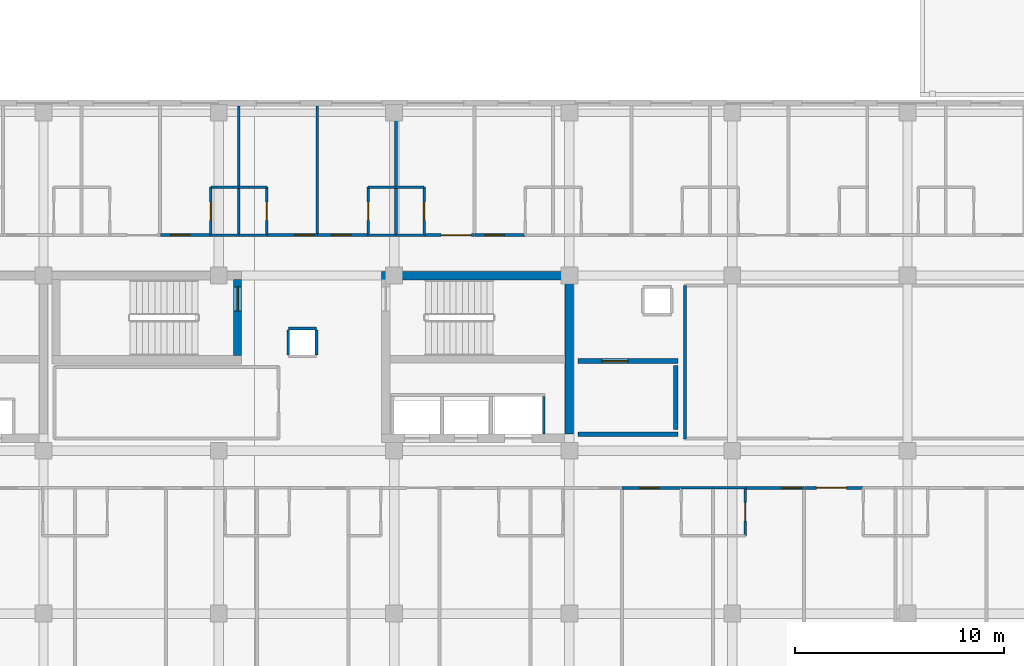
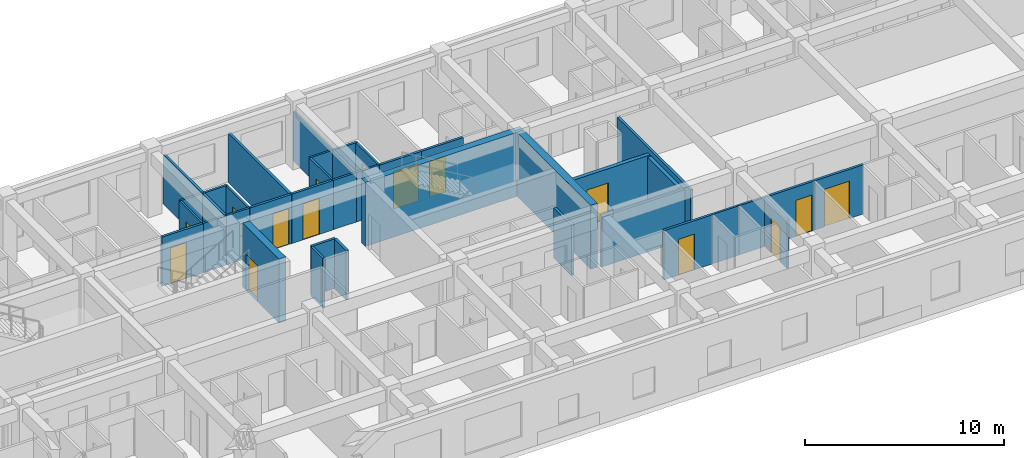
# One storey, part 100 of 127: 37 walls, 15 doors, 15 openings.
"""IFC4 building model written with IfcOpenShell, lengths in metres."""

from ifc_helpers import new_model, si_unit, direction, frame, frame_2d, origin, place, context, subcontext, project, spatial, rectangle, extrude, material, layer, layer_set, type_object, element, fill, save


model = new_model("IFC4")

# Units and contexts
model_context = context("Model", 3, precision=1e-05, world=origin(), true_north=direction((0.0, 1.0)))
body_context = subcontext(model_context, "Body", "Model", "MODEL_VIEW")
ifc_project = project(units=[si_unit("LENGTHUNIT", "METRE"), si_unit("AREAUNIT", "SQUARE_METRE"), si_unit("VOLUMEUNIT", "CUBIC_METRE"), si_unit("PLANEANGLEUNIT", "RADIAN"), si_unit("MASSUNIT", "GRAM", prefix="KILO")], contexts=[model_context])

# Site, building, storey
site_placement = place(None, origin())
site = spatial("IfcSite", under=ifc_project, at=site_placement, CompositionType="ELEMENT")
building_placement = place(site_placement, origin())
building = spatial("IfcBuilding", under=site, at=building_placement, Name="Zayran Congress Hotel", CompositionType="ELEMENT")
storey_placement = place(building_placement, frame((0.0, 0.0, 10.800048828125)))
storey = spatial("IfcBuildingStorey", under=building, at=storey_placement, Name="L02", CompositionType="ELEMENT", Elevation=10.800048828125)

# Walls
ifc_material_1 = material(Name="Concrete C40/50", Category="concrete")
ifc_layer_1 = layer(ifc_material_1, 0.39990234375)
ifc_layer_set_1 = layer_set([ifc_layer_1], Name="Concrete C40/50")
wall_type_1 = type_object("IfcWallType", Name="WL-SH-400", PredefinedType="SHEAR", material=ifc_layer_set_1)
wall_1_placement = place(storey_placement, frame((59.0, 25.5849609375, 0.0), z_axis=(0.0, 0.0, 1.0), x_axis=(-1.0, 0.0, 0.0)))
element("IfcWall", 1, at=wall_1_placement, inside=storey, type_object=wall_type_1, Name="CWALL-C-V5E-L02-N", PredefinedType="SHEAR", context=body_context, shape_type="SweptSolid", body=[
    extrude(rectangle(XDim=9.199951171875, YDim=0.39990234375, at=frame_2d((4.60009765625, 0.0))), origin(), (0.0, 0.0, 1.0), 3.919921875),
])
wall_2_placement = place(storey_placement, frame((58.800048828125, 18.0, 0.0), z_axis=(0.0, 0.0, 1.0), x_axis=(0.0, 1.0, 0.0)))
element("IfcWall", 2, at=wall_2_placement, inside=storey, type_object=wall_type_1, Name="CWALL-C-V5E-L02-E", PredefinedType="SHEAR", context=body_context, shape_type="SweptSolid", body=[
    extrude(rectangle(XDim=7.39990234375, YDim=0.39990234375, at=frame_2d((3.699951171875, 0.0))), origin(), (0.0, 0.0, 1.0), 3.919921875),
])

# Wall, opening, door
wall_3_placement = place(storey_placement, frame((42.89990234375, 21.760009765625, 0.0), z_axis=(0.0, 0.0, 1.0), x_axis=(0.0, 1.0, 0.0)))
wall_3 = element("IfcWall", 3, at=wall_3_placement, inside=storey, type_object=wall_type_1, Name="CWALL-C-V5M-L02-E", PredefinedType="SHEAR", context=body_context, shape_type="SweptSolid", body=[
    extrude(rectangle(XDim=3.639892578125, YDim=0.39990234375, at=frame_2d((1.81982421875, 0.0))), origin(), (0.0, 0.0, 1.0), 3.919921875),
])
opening_1_placement = place(wall_3_placement, frame((2.139892578125, 0.0, 0.0)))
opening_1 = element("IfcOpeningElement", 4, at=opening_1_placement, cuts=wall_3, Name="Opening DR-FD-90", PredefinedType="OPENING", context=body_context, shape_type="SweptSolid", body=[
    extrude(rectangle(XDim=1.14990234375, YDim=2.199951171875, at=frame_2d((0.574951171875, 1.10009765625))), frame((0.0, 0.2099609375, 0.0), z_axis=(0.0, -1.0, 0.0), x_axis=(1.0, 0.0, 0.0)), (0.0, 0.0, 1.0), 0.419921875),
])
ifc_material_2 = material(Name="Painted steel fire door assembly", Category="steel")
door_type_1 = type_object("IfcDoorType", Name="TP-DR-FD-90", OperationType="NOTDEFINED", PredefinedType="DOOR", material=ifc_material_2)
door_1_placement = place(opening_1_placement, origin())
door_1 = element("IfcDoor", 5, at=door_1_placement, inside=storey, type_object=door_type_1, Name="ST-13 Exit Stair Door L02", OperationType="SINGLE_SWING_RIGHT", OverallHeight=2.199951171875, OverallWidth=1.14990234375, PredefinedType="DOOR", context=body_context, shape_type="SweptSolid", body=[
    extrude(rectangle(XDim=1.14990234375, YDim=2.199951171875, at=frame_2d((0.574951171875, 1.10009765625))), frame((0.0, 0.02490234375, 0.0), z_axis=(0.0, -1.0, 0.0), x_axis=(1.0, 0.0, 0.0)), (0.0, 0.0, 1.0), 0.050048828125),
])
fill(opening_1, door_1)

# Wall
ifc_material_3 = material(Name="Concrete C32/40 fire wall", Category="concrete")
ifc_layer_2 = layer(ifc_material_3, 0.219970703125)
ifc_layer_set_2 = layer_set([ifc_layer_2], Name="Concrete C32/40 fire wall")
wall_type_2 = type_object("IfcWallType", Name="WL-FF-220", PredefinedType="SOLIDWALL", material=ifc_layer_set_2)
wall_4_placement = place(storey_placement, frame((59.199951171875, 18.0, 0.0), z_axis=(0.0, 0.0, 1.0), x_axis=(1.0, 0.0, 0.0)))
element("IfcWall", 6, at=wall_4_placement, inside=storey, type_object=wall_type_2, Name="FFWL-C-V5E-L02-S", PredefinedType="SOLIDWALL", context=body_context, shape_type="SweptSolid", body=[
    extrude(rectangle(XDim=4.800048828125, YDim=0.219970703125, at=frame_2d((2.39990234375, 0.0))), origin(), (0.0, 0.0, 1.0), 3.070068359375),
])

# Wall, opening, door
wall_5_placement = place(storey_placement, frame((59.199951171875, 21.5, 0.0), z_axis=(0.0, 0.0, 1.0), x_axis=(1.0, 0.0, 0.0)))
wall_5 = element("IfcWall", 7, at=wall_5_placement, inside=storey, type_object=wall_type_2, Name="FFWL-C-V5E-L02-N", PredefinedType="SOLIDWALL", context=body_context, shape_type="SweptSolid", body=[
    extrude(rectangle(XDim=4.800048828125, YDim=0.219970703125, at=frame_2d((2.39990234375, 0.0))), origin(), (0.0, 0.0, 1.0), 3.070068359375),
])
opening_2_placement = place(wall_5_placement, frame((1.14990234375, 0.0, 0.0)))
opening_2 = element("IfcOpeningElement", 8, at=opening_2_placement, cuts=wall_5, Name="Opening DR-FF-60", PredefinedType="OPENING", context=body_context, shape_type="SweptSolid", body=[
    extrude(rectangle(XDim=1.25, YDim=2.199951171875, at=frame_2d((0.625, 1.10009765625))), frame((0.0, 0.119873046875, 0.0), z_axis=(0.0, -1.0, 0.0), x_axis=(1.0, 0.0, 0.0)), (0.0, 0.0, 1.0), 0.239990234375),
])
ifc_material_4 = material(Name="Painted steel smoke-seal fire door", Category="steel")
door_type_2 = type_object("IfcDoorType", Name="TP-DR-FF-60", OperationType="NOTDEFINED", PredefinedType="DOOR", material=ifc_material_4)
door_2_placement = place(opening_2_placement, origin())
door_2 = element("IfcDoor", 9, at=door_2_placement, inside=storey, type_object=door_type_2, Name="Firefighting Lift Lobby Door C-V5E L02", OperationType="SINGLE_SWING_RIGHT", OverallHeight=2.199951171875, OverallWidth=1.25, PredefinedType="DOOR", context=body_context, shape_type="SweptSolid", body=[
    extrude(rectangle(XDim=1.25, YDim=2.199951171875, at=frame_2d((0.625, 1.10009765625))), frame((0.0, 0.02490234375, 0.0), z_axis=(0.0, -1.0, 0.0), x_axis=(1.0, 0.0, 0.0)), (0.0, 0.0, 1.0), 0.050048828125),
])
fill(opening_2, door_2)

# Walls
wall_6_placement = place(storey_placement, frame((63.889892578125, 18.219970703125, 0.0), z_axis=(0.0, 0.0, 1.0), x_axis=(0.0, 1.0, 0.0)))
element("IfcWall", 10, at=wall_6_placement, inside=storey, type_object=wall_type_2, Name="FFWL-C-V5E-L02-SD", PredefinedType="SOLIDWALL", context=body_context, shape_type="SweptSolid", body=[
    extrude(rectangle(XDim=3.06005859375, YDim=0.219970703125, at=frame_2d((1.530029296875, 0.0))), origin(), (0.0, 0.0, 1.0), 3.070068359375),
])
ifc_material_5 = material(Name="Hospitality guestroom acoustic partition", Category="gypsum")
ifc_layer_3 = layer(ifc_material_5, 0.139892578125)
ifc_layer_set_3 = layer_set([ifc_layer_3], Name="Hospitality guestroom acoustic partition")
wall_type_3 = type_object("IfcWallType", Name="WL-PT-140", PredefinedType="PARTITIONING", material=ifc_layer_set_3)
wall_7_placement = place(storey_placement, frame((57.570068359375, 18.0, 0.0), z_axis=(0.0, 0.0, 1.0), x_axis=(0.0, 1.0, 0.0)))
element("IfcWall", 11, at=wall_7_placement, inside=storey, type_object=wall_type_3, Name="LSHW-C-V5E-L02-E", PredefinedType="PARTITIONING", context=body_context, shape_type="SweptSolid", body=[
    extrude(rectangle(XDim=1.800048828125, YDim=0.139892578125, at=frame_2d((0.89990234375, 0.0))), origin(), (0.0, 0.0, 1.0), 3.070068359375),
])

# Wall, opening, door
wall_8_placement = place(storey_placement, frame((61.3310546875, 15.419921875, 0.0), z_axis=(0.0, 0.0, 1.0), x_axis=(1.0, 0.0, 0.0)))
wall_8 = element("IfcWall", 12, at=wall_8_placement, inside=storey, type_object=wall_type_3, Name="IW-L02-0528", PredefinedType="PARTITIONING", context=body_context, shape_type="SweptSolid", body=[
    extrude(rectangle(XDim=2.81884765625, YDim=0.139892578125, at=frame_2d((1.409423828125, 0.0))), origin(), (0.0, 0.0, 1.0), 3.02001953125),
])
opening_3_placement = place(wall_8_placement, frame((0.824951171875, 0.0, 0.0)))
opening_3 = element("IfcOpeningElement", 13, at=opening_3_placement, cuts=wall_8, Name="Opening DR-GR-01", PredefinedType="OPENING", context=body_context, shape_type="SweptSolid", body=[
    extrude(rectangle(XDim=0.93994140625, YDim=2.199951171875, at=frame_2d((0.469970703125, 1.10009765625))), frame((0.0, 0.079833984375, 0.0), z_axis=(0.0, -1.0, 0.0), x_axis=(1.0, 0.0, 0.0)), (0.0, 0.0, 1.0), 0.159912109375),
])
ifc_material_6 = material(Name="Acoustic walnut veneer fire-rated entry door", Category="wood")
door_type_3 = type_object("IfcDoorType", Name="TP-DR-GR-01", OperationType="NOTDEFINED", PredefinedType="DOOR", material=ifc_material_6)
door_3_placement = place(opening_3_placement, origin())
door_3 = element("IfcDoor", 14, at=door_3_placement, inside=storey, type_object=door_type_3, Name="Guest Room L02-13 Door", OperationType="SINGLE_SWING_LEFT", OverallHeight=2.199951171875, OverallWidth=0.93994140625, PredefinedType="DOOR", context=body_context, shape_type="SweptSolid", body=[
    extrude(rectangle(XDim=0.93994140625, YDim=2.199951171875, at=frame_2d((0.469970703125, 1.10009765625))), frame((0.0, 0.02490234375, 0.0), z_axis=(0.0, -1.0, 0.0), x_axis=(1.0, 0.0, 0.0)), (0.0, 0.0, 1.0), 0.050048828125),
])
fill(opening_3, door_3)

wall_9_placement = place(storey_placement, frame((67.22802734375, 15.419921875, 0.0), z_axis=(0.0, 0.0, 1.0), x_axis=(1.0, 0.0, 0.0)))
wall_9 = element("IfcWall", 15, at=wall_9_placement, inside=storey, type_object=wall_type_3, Name="IW-L02-0529", PredefinedType="PARTITIONING", context=body_context, shape_type="SweptSolid", body=[
    extrude(rectangle(XDim=2.820068359375, YDim=0.139892578125, at=frame_2d((1.41015625, 0.0))), origin(), (0.0, 0.0, 1.0), 3.02001953125),
])
opening_4_placement = place(wall_9_placement, frame((1.739990234375, 0.0, 0.0)))
opening_4 = element("IfcOpeningElement", 16, at=opening_4_placement, cuts=wall_9, Name="Opening DR-GR-01", PredefinedType="OPENING", context=body_context, shape_type="SweptSolid", body=[
    extrude(rectangle(XDim=0.93994140625, YDim=2.199951171875, at=frame_2d((0.469970703125, 1.10009765625))), frame((0.0, 0.079833984375, 0.0), z_axis=(0.0, -1.0, 0.0), x_axis=(1.0, 0.0, 0.0)), (0.0, 0.0, 1.0), 0.159912109375),
])
door_4_placement = place(opening_4_placement, origin())
door_4 = element("IfcDoor", 17, at=door_4_placement, inside=storey, type_object=door_type_3, Name="Guest Room L02-14 Door", OperationType="SINGLE_SWING_RIGHT", OverallHeight=2.199951171875, OverallWidth=0.93994140625, PredefinedType="DOOR", context=body_context, shape_type="SweptSolid", body=[
    extrude(rectangle(XDim=0.93994140625, YDim=2.199951171875, at=frame_2d((0.469970703125, 1.10009765625))), frame((0.0, 0.02490234375, 0.0), z_axis=(0.0, -1.0, 0.0), x_axis=(1.0, 0.0, 0.0)), (0.0, 0.0, 1.0), 0.050048828125),
])
fill(opening_4, door_4)

wall_10_placement = place(storey_placement, frame((70.068115234375, 15.419921875, 0.0), z_axis=(0.0, 0.0, 1.0), x_axis=(1.0, 0.0, 0.0)))
wall_10 = element("IfcWall", 18, at=wall_10_placement, inside=storey, type_object=wall_type_3, Name="IW-L02-0530", PredefinedType="PARTITIONING", context=body_context, shape_type="SweptSolid", body=[
    extrude(rectangle(XDim=2.81884765625, YDim=0.139892578125, at=frame_2d((1.409423828125, 0.0))), origin(), (0.0, 0.0, 1.0), 3.02001953125),
])
opening_5_placement = place(wall_10_placement, frame((0.568115234375, 0.0, 0.0)))
opening_5 = element("IfcOpeningElement", 19, at=opening_5_placement, cuts=wall_10, Name="Opening DR-ST-01", PredefinedType="OPENING", context=body_context, shape_type="SweptSolid", body=[
    extrude(rectangle(XDim=1.449951171875, YDim=2.300048828125, at=frame_2d((0.72509765625, 1.14990234375))), frame((0.0, 0.079833984375, 0.0), z_axis=(0.0, -1.0, 0.0), x_axis=(1.0, 0.0, 0.0)), (0.0, 0.0, 1.0), 0.159912109375),
])
ifc_material_7 = material(Name="Double walnut veneer suite entry door", Category="wood")
door_type_4 = type_object("IfcDoorType", Name="TP-DR-ST-01", OperationType="DOUBLE_DOOR_SINGLE_SWING", PredefinedType="DOOR", material=ifc_material_7)
door_5_placement = place(opening_5_placement, origin())
door_5 = element("IfcDoor", 20, at=door_5_placement, inside=storey, type_object=door_type_4, Name="Junior Suite L02-15 Door", OperationType="DOUBLE_DOOR_SINGLE_SWING", OverallHeight=2.300048828125, OverallWidth=1.449951171875, PredefinedType="DOOR", context=body_context, shape_type="SweptSolid", body=[
    extrude(rectangle(XDim=1.449951171875, YDim=2.300048828125, at=frame_2d((0.72509765625, 1.14990234375))), frame((0.0, 0.02490234375, 0.0), z_axis=(0.0, -1.0, 0.0), x_axis=(1.0, 0.0, 0.0)), (0.0, 0.0, 1.0), 0.050048828125),
])
fill(opening_5, door_5)

wall_11_placement = place(storey_placement, frame((39.2109375, 27.530029296875, 0.0), z_axis=(0.0, 0.0, 1.0), x_axis=(1.0, 0.0, 0.0)))
wall_11 = element("IfcWall", 21, at=wall_11_placement, inside=storey, type_object=wall_type_3, Name="IW-L02-0542", PredefinedType="PARTITIONING", context=body_context, shape_type="SweptSolid", body=[
    extrude(rectangle(XDim=2.4150390625, YDim=0.139892578125, at=frame_2d((1.20751953125, 0.0))), origin(), (0.0, 0.0, 1.0), 3.02001953125),
])
opening_6_placement = place(wall_11_placement, frame((0.48095703125, 0.0, 0.0)))
opening_6 = element("IfcOpeningElement", 22, at=opening_6_placement, cuts=wall_11, Name="Opening DR-GR-01", PredefinedType="OPENING", context=body_context, shape_type="SweptSolid", body=[
    extrude(rectangle(XDim=0.93994140625, YDim=2.199951171875, at=frame_2d((0.469970703125, 1.10009765625))), frame((0.0, 0.079833984375, 0.0), z_axis=(0.0, -1.0, 0.0), x_axis=(1.0, 0.0, 0.0)), (0.0, 0.0, 1.0), 0.159912109375),
])
door_6_placement = place(opening_6_placement, origin())
door_6 = element("IfcDoor", 23, at=door_6_placement, inside=storey, type_object=door_type_3, Name="Guest Room L02-25 Door", OperationType="SINGLE_SWING_RIGHT", OverallHeight=2.199951171875, OverallWidth=0.93994140625, PredefinedType="DOOR", context=body_context, shape_type="SweptSolid", body=[
    extrude(rectangle(XDim=0.93994140625, YDim=2.199951171875, at=frame_2d((0.469970703125, 1.10009765625))), frame((0.0, 0.02490234375, 0.0), z_axis=(0.0, -1.0, 0.0), x_axis=(1.0, 0.0, 0.0)), (0.0, 0.0, 1.0), 0.050048828125),
])
fill(opening_6, door_6)

wall_12_placement = place(storey_placement, frame((44.303955078125, 27.530029296875, 0.0), z_axis=(0.0, 0.0, 1.0), x_axis=(1.0, 0.0, 0.0)))
wall_12 = element("IfcWall", 24, at=wall_12_placement, inside=storey, type_object=wall_type_3, Name="IW-L02-0543", PredefinedType="PARTITIONING", context=body_context, shape_type="SweptSolid", body=[
    extrude(rectangle(XDim=2.4150390625, YDim=0.139892578125, at=frame_2d((1.20751953125, 0.0))), origin(), (0.0, 0.0, 1.0), 3.02001953125),
])
opening_7_placement = place(wall_12_placement, frame((1.3349609375, 0.0, 0.0)))
opening_7 = element("IfcOpeningElement", 25, at=opening_7_placement, cuts=wall_12, Name="Opening DR-GR-01", PredefinedType="OPENING", context=body_context, shape_type="SweptSolid", body=[
    extrude(rectangle(XDim=0.93994140625, YDim=2.199951171875, at=frame_2d((0.469970703125, 1.10009765625))), frame((0.0, 0.079833984375, 0.0), z_axis=(0.0, -1.0, 0.0), x_axis=(1.0, 0.0, 0.0)), (0.0, 0.0, 1.0), 0.159912109375),
])
door_7_placement = place(opening_7_placement, origin())
door_7 = element("IfcDoor", 26, at=door_7_placement, inside=storey, type_object=door_type_3, Name="Guest Room L02-26 Door", OperationType="SINGLE_SWING_LEFT", OverallHeight=2.199951171875, OverallWidth=0.93994140625, PredefinedType="DOOR", context=body_context, shape_type="SweptSolid", body=[
    extrude(rectangle(XDim=0.93994140625, YDim=2.199951171875, at=frame_2d((0.469970703125, 1.10009765625))), frame((0.0, 0.02490234375, 0.0), z_axis=(0.0, -1.0, 0.0), x_axis=(1.0, 0.0, 0.0)), (0.0, 0.0, 1.0), 0.050048828125),
])
fill(opening_7, door_7)

wall_13_placement = place(storey_placement, frame((46.739013671875, 27.530029296875, 0.0), z_axis=(0.0, 0.0, 1.0), x_axis=(1.0, 0.0, 0.0)))
wall_13 = element("IfcWall", 27, at=wall_13_placement, inside=storey, type_object=wall_type_3, Name="IW-L02-0544", PredefinedType="PARTITIONING", context=body_context, shape_type="SweptSolid", body=[
    extrude(rectangle(XDim=2.4150390625, YDim=0.139892578125, at=frame_2d((1.20751953125, 0.0))), origin(), (0.0, 0.0, 1.0), 3.02001953125),
])
opening_8_placement = place(wall_13_placement, frame((0.652099609375, 0.0, 0.0)))
opening_8 = element("IfcOpeningElement", 28, at=opening_8_placement, cuts=wall_13, Name="Opening DR-GR-01", PredefinedType="OPENING", context=body_context, shape_type="SweptSolid", body=[
    extrude(rectangle(XDim=0.93994140625, YDim=2.199951171875, at=frame_2d((0.469970703125, 1.10009765625))), frame((0.0, 0.079833984375, 0.0), z_axis=(0.0, -1.0, 0.0), x_axis=(1.0, 0.0, 0.0)), (0.0, 0.0, 1.0), 0.159912109375),
])
door_8_placement = place(opening_8_placement, origin())
door_8 = element("IfcDoor", 29, at=door_8_placement, inside=storey, type_object=door_type_3, Name="Guest Room L02-27 Door", OperationType="SINGLE_SWING_RIGHT", OverallHeight=2.199951171875, OverallWidth=0.93994140625, PredefinedType="DOOR", context=body_context, shape_type="SweptSolid", body=[
    extrude(rectangle(XDim=0.93994140625, YDim=2.199951171875, at=frame_2d((0.469970703125, 1.10009765625))), frame((0.0, 0.02490234375, 0.0), z_axis=(0.0, -1.0, 0.0), x_axis=(1.0, 0.0, 0.0)), (0.0, 0.0, 1.0), 0.050048828125),
])
fill(opening_8, door_8)

wall_14_placement = place(storey_placement, frame((51.8330078125, 27.530029296875, 0.0), z_axis=(0.0, 0.0, 1.0), x_axis=(1.0, 0.0, 0.0)))
wall_14 = element("IfcWall", 30, at=wall_14_placement, inside=storey, type_object=wall_type_3, Name="IW-L02-0545", PredefinedType="PARTITIONING", context=body_context, shape_type="SweptSolid", body=[
    extrude(rectangle(XDim=2.4150390625, YDim=0.139892578125, at=frame_2d((1.20751953125, 0.0))), origin(), (0.0, 0.0, 1.0), 3.02001953125),
])
opening_9_placement = place(wall_14_placement, frame((0.824951171875, 0.0, 0.0)))
opening_9 = element("IfcOpeningElement", 31, at=opening_9_placement, cuts=wall_14, Name="Opening DR-ST-01", PredefinedType="OPENING", context=body_context, shape_type="SweptSolid", body=[
    extrude(rectangle(XDim=1.449951171875, YDim=2.300048828125, at=frame_2d((0.72509765625, 1.14990234375))), frame((0.0, 0.079833984375, 0.0), z_axis=(0.0, -1.0, 0.0), x_axis=(1.0, 0.0, 0.0)), (0.0, 0.0, 1.0), 0.159912109375),
])
door_9_placement = place(opening_9_placement, origin())
door_9 = element("IfcDoor", 32, at=door_9_placement, inside=storey, type_object=door_type_4, Name="Executive Suite L02-28 Door", OperationType="DOUBLE_DOOR_SINGLE_SWING", OverallHeight=2.300048828125, OverallWidth=1.449951171875, PredefinedType="DOOR", context=body_context, shape_type="SweptSolid", body=[
    extrude(rectangle(XDim=1.449951171875, YDim=2.300048828125, at=frame_2d((0.72509765625, 1.14990234375))), frame((0.0, 0.02490234375, 0.0), z_axis=(0.0, -1.0, 0.0), x_axis=(1.0, 0.0, 0.0)), (0.0, 0.0, 1.0), 0.050048828125),
])
fill(opening_9, door_9)

wall_15_placement = place(storey_placement, frame((54.26806640625, 27.530029296875, 0.0), z_axis=(0.0, 0.0, 1.0), x_axis=(1.0, 0.0, 0.0)))
wall_15 = element("IfcWall", 33, at=wall_15_placement, inside=storey, type_object=wall_type_3, Name="IW-L02-0546", PredefinedType="PARTITIONING", context=body_context, shape_type="SweptSolid", body=[
    extrude(rectangle(XDim=2.4150390625, YDim=0.139892578125, at=frame_2d((1.20751953125, 0.0))), origin(), (0.0, 0.0, 1.0), 3.02001953125),
])
opening_10_placement = place(wall_15_placement, frame((0.48095703125, 0.0, 0.0)))
opening_10 = element("IfcOpeningElement", 34, at=opening_10_placement, cuts=wall_15, Name="Opening DR-GR-01", PredefinedType="OPENING", context=body_context, shape_type="SweptSolid", body=[
    extrude(rectangle(XDim=0.93994140625, YDim=2.199951171875, at=frame_2d((0.469970703125, 1.10009765625))), frame((0.0, 0.079833984375, 0.0), z_axis=(0.0, -1.0, 0.0), x_axis=(1.0, 0.0, 0.0)), (0.0, 0.0, 1.0), 0.159912109375),
])
door_10_placement = place(opening_10_placement, origin())
door_10 = element("IfcDoor", 35, at=door_10_placement, inside=storey, type_object=door_type_3, Name="Guest Room L02-29 Door", OperationType="SINGLE_SWING_LEFT", OverallHeight=2.199951171875, OverallWidth=0.93994140625, PredefinedType="DOOR", context=body_context, shape_type="SweptSolid", body=[
    extrude(rectangle(XDim=0.93994140625, YDim=2.199951171875, at=frame_2d((0.469970703125, 1.10009765625))), frame((0.0, 0.02490234375, 0.0), z_axis=(0.0, -1.0, 0.0), x_axis=(1.0, 0.0, 0.0)), (0.0, 0.0, 1.0), 0.050048828125),
])
fill(opening_10, door_10)

# Walls
wall_16_placement = place(storey_placement, frame((64.330078125, 17.77001953125, 0.0), z_axis=(0.0, 0.0, 1.0), x_axis=(0.0, 1.0, 0.0)))
element("IfcWall", 36, at=wall_16_placement, inside=storey, type_object=wall_type_3, Name="IW-L02-1831", PredefinedType="PARTITIONING", context=body_context, shape_type="SweptSolid", body=[
    extrude(rectangle(XDim=7.35986328125, YDim=0.139892578125, at=frame_2d((3.679931640625, 0.0))), origin(), (0.0, 0.0, 1.0), 3.02001953125),
])
for number, where, z_axis, x_axis, name in (
    (37, (42.955078125, 27.52001953125, 0.0), (0.0, 0.0, 1.0), (0.0, 1.0, 0.0), "IW-L02-1857"),
    (38, (46.718994140625, 27.52001953125, 0.0), (0.0, 0.0, 1.0), (0.0, 1.0, 0.0), "IW-L02-1858"),
    (39, (50.48388671875, 27.52001953125, 0.0), (0.0, 0.0, 1.0), (0.0, 1.0, 0.0), "IW-L02-1859"),
):
    element("IfcWall", number, at=place(storey_placement, frame(where, z_axis=z_axis, x_axis=x_axis)), inside=storey, type_object=wall_type_3, Name=name, PredefinedType="PARTITIONING", context=body_context, shape_type="SweptSolid", body=[
        extrude(rectangle(XDim=6.199951171875, YDim=0.139892578125, at=frame_2d((3.10009765625, 0.0))), origin(), (0.0, 0.0, 1.0), 3.02001953125),
    ])
wall_17_placement = place(storey_placement, frame((46.68994140625, 23.050048828125, 0.0), z_axis=(0.0, 0.0, 1.0), x_axis=(-1.0, 0.0, 0.0)))
element("IfcWall", 40, at=wall_17_placement, inside=storey, type_object=wall_type_3, Name="RSWL-V5-L02-030-N", PredefinedType="PARTITIONING", context=body_context, shape_type="SweptSolid", body=[
    extrude(rectangle(XDim=1.35986328125, YDim=0.139892578125, at=frame_2d((0.679931640625, 0.0))), origin(), (0.0, 0.0, 1.0), 3.0400390625),
])
for number, where, z_axis, x_axis, name in (
    (41, (45.330078125, 22.97998046875, 0.0), (0.0, 0.0, 1.0), (0.0, -1.0, 0.0), "RSWL-V5-L02-030-W"),
    (42, (46.68994140625, 21.800048828125, 0.0), (0.0, 0.0, 1.0), (0.0, 1.0, 0.0), "RSWL-V5-L02-030-E"),
):
    element("IfcWall", number, at=place(storey_placement, frame(where, z_axis=z_axis, x_axis=x_axis)), inside=storey, type_object=wall_type_3, Name=name, PredefinedType="PARTITIONING", context=body_context, shape_type="SweptSolid", body=[
        extrude(rectangle(XDim=1.179931640625, YDim=0.139892578125, at=frame_2d((0.58984375, 0.0))), origin(), (0.0, 0.0, 1.0), 3.0400390625),
    ])

# Wall, opening, door
ifc_material_8 = material(Name="Moisture-resistant bathroom partition", Category="gypsum")
ifc_layer_4 = layer(ifc_material_8, 0.1201171875)
ifc_layer_set_4 = layer_set([ifc_layer_4], Name="Moisture-resistant bathroom partition")
wall_type_4 = type_object("IfcWallType", Name="WL-PT-120", PredefinedType="PARTITIONING", material=ifc_layer_set_4)
wall_18_placement = place(storey_placement, frame((67.22802734375, 13.1201171875, 0.0), z_axis=(0.0, 0.0, 1.0), x_axis=(0.0, 1.0, 0.0)))
wall_18 = element("IfcWall", 43, at=wall_18_placement, inside=storey, type_object=wall_type_4, Name="IW-L02-0066", PredefinedType="PARTITIONING", context=body_context, shape_type="SweptSolid", body=[
    extrude(rectangle(XDim=2.309814453125, YDim=0.1201171875, at=frame_2d((1.15478515625, 0.0))), origin(), (0.0, 0.0, 1.0), 3.02001953125),
])
opening_11_placement = place(wall_18_placement, frame((0.715087890625, 0.0, 0.0)))
opening_11 = element("IfcOpeningElement", 44, at=opening_11_placement, cuts=wall_18, Name="Opening DR-BT-01", PredefinedType="OPENING", context=body_context, shape_type="SweptSolid", body=[
    extrude(rectangle(XDim=0.8798828125, YDim=2.14990234375, at=frame_2d((0.43994140625, 1.074951171875))), frame((0.0, 0.070068359375, 0.0), z_axis=(0.0, -1.0, 0.0), x_axis=(1.0, 0.0, 0.0)), (0.0, 0.0, 1.0), 0.14013671875),
])
ifc_material_9 = material(Name="Moisture-resistant oak en-suite door", Category="wood")
door_type_5 = type_object("IfcDoorType", Name="TP-DR-BT-01", OperationType="NOTDEFINED", PredefinedType="DOOR", material=ifc_material_9)
door_11_placement = place(opening_11_placement, origin())
door_11 = element("IfcDoor", 45, at=door_11_placement, inside=storey, type_object=door_type_5, Name="En-Suite Bathroom L02-14 Door", OperationType="SINGLE_SWING_LEFT", OverallHeight=2.14990234375, OverallWidth=0.8798828125, PredefinedType="DOOR", context=body_context, shape_type="SweptSolid", body=[
    extrude(rectangle(XDim=0.8798828125, YDim=2.14990234375, at=frame_2d((0.43994140625, 1.074951171875))), frame((0.0, 0.02490234375, 0.0), z_axis=(0.0, -1.0, 0.0), x_axis=(1.0, 0.0, 0.0)), (0.0, 0.0, 1.0), 0.050048828125),
])
fill(opening_11, door_11)

wall_19_placement = place(storey_placement, frame((41.6259765625, 27.52001953125, 0.0), z_axis=(0.0, 0.0, 1.0), x_axis=(0.0, 1.0, 0.0)))
wall_19 = element("IfcWall", 46, at=wall_19_placement, inside=storey, type_object=wall_type_4, Name="IW-L02-0077", PredefinedType="PARTITIONING", context=body_context, shape_type="SweptSolid", body=[
    extrude(rectangle(XDim=2.31005859375, YDim=0.1201171875, at=frame_2d((1.155029296875, 0.0))), origin(), (0.0, 0.0, 1.0), 3.02001953125),
])
opening_12_placement = place(wall_19_placement, frame((0.715087890625, 0.0, 0.0)))
opening_12 = element("IfcOpeningElement", 47, at=opening_12_placement, cuts=wall_19, Name="Opening DR-BT-01", PredefinedType="OPENING", context=body_context, shape_type="SweptSolid", body=[
    extrude(rectangle(XDim=0.8798828125, YDim=2.14990234375, at=frame_2d((0.43994140625, 1.074951171875))), frame((0.0, 0.070068359375, 0.0), z_axis=(0.0, -1.0, 0.0), x_axis=(1.0, 0.0, 0.0)), (0.0, 0.0, 1.0), 0.14013671875),
])
door_12_placement = place(opening_12_placement, origin())
door_12 = element("IfcDoor", 48, at=door_12_placement, inside=storey, type_object=door_type_5, Name="En-Suite Bathroom L02-25 Door", OperationType="SINGLE_SWING_RIGHT", OverallHeight=2.14990234375, OverallWidth=0.8798828125, PredefinedType="DOOR", context=body_context, shape_type="SweptSolid", body=[
    extrude(rectangle(XDim=0.8798828125, YDim=2.14990234375, at=frame_2d((0.43994140625, 1.074951171875))), frame((0.0, 0.02490234375, 0.0), z_axis=(0.0, -1.0, 0.0), x_axis=(1.0, 0.0, 0.0)), (0.0, 0.0, 1.0), 0.050048828125),
])
fill(opening_12, door_12)

wall_20_placement = place(storey_placement, frame((44.303955078125, 27.52001953125, 0.0), z_axis=(0.0, 0.0, 1.0), x_axis=(0.0, 1.0, 0.0)))
wall_20 = element("IfcWall", 49, at=wall_20_placement, inside=storey, type_object=wall_type_4, Name="IW-L02-0078", PredefinedType="PARTITIONING", context=body_context, shape_type="SweptSolid", body=[
    extrude(rectangle(XDim=2.31005859375, YDim=0.1201171875, at=frame_2d((1.155029296875, 0.0))), origin(), (0.0, 0.0, 1.0), 3.02001953125),
])
opening_13_placement = place(wall_20_placement, frame((0.715087890625, 0.0, 0.0)))
opening_13 = element("IfcOpeningElement", 50, at=opening_13_placement, cuts=wall_20, Name="Opening DR-BT-01", PredefinedType="OPENING", context=body_context, shape_type="SweptSolid", body=[
    extrude(rectangle(XDim=0.8798828125, YDim=2.14990234375, at=frame_2d((0.43994140625, 1.074951171875))), frame((0.0, 0.070068359375, 0.0), z_axis=(0.0, -1.0, 0.0), x_axis=(1.0, 0.0, 0.0)), (0.0, 0.0, 1.0), 0.14013671875),
])
door_13_placement = place(opening_13_placement, origin())
door_13 = element("IfcDoor", 51, at=door_13_placement, inside=storey, type_object=door_type_5, Name="En-Suite Bathroom L02-26 Door", OperationType="SINGLE_SWING_LEFT", OverallHeight=2.14990234375, OverallWidth=0.8798828125, PredefinedType="DOOR", context=body_context, shape_type="SweptSolid", body=[
    extrude(rectangle(XDim=0.8798828125, YDim=2.14990234375, at=frame_2d((0.43994140625, 1.074951171875))), frame((0.0, 0.02490234375, 0.0), z_axis=(0.0, -1.0, 0.0), x_axis=(1.0, 0.0, 0.0)), (0.0, 0.0, 1.0), 0.050048828125),
])
fill(opening_13, door_13)

wall_21_placement = place(storey_placement, frame((49.154052734375, 27.52001953125, 0.0), z_axis=(0.0, 0.0, 1.0), x_axis=(0.0, 1.0, 0.0)))
wall_21 = element("IfcWall", 52, at=wall_21_placement, inside=storey, type_object=wall_type_4, Name="IW-L02-0079", PredefinedType="PARTITIONING", context=body_context, shape_type="SweptSolid", body=[
    extrude(rectangle(XDim=2.31005859375, YDim=0.1201171875, at=frame_2d((1.155029296875, 0.0))), origin(), (0.0, 0.0, 1.0), 3.02001953125),
])
opening_14_placement = place(wall_21_placement, frame((0.715087890625, 0.0, 0.0)))
opening_14 = element("IfcOpeningElement", 53, at=opening_14_placement, cuts=wall_21, Name="Opening DR-BT-01", PredefinedType="OPENING", context=body_context, shape_type="SweptSolid", body=[
    extrude(rectangle(XDim=0.8798828125, YDim=2.14990234375, at=frame_2d((0.43994140625, 1.074951171875))), frame((0.0, 0.070068359375, 0.0), z_axis=(0.0, -1.0, 0.0), x_axis=(1.0, 0.0, 0.0)), (0.0, 0.0, 1.0), 0.14013671875),
])
door_14_placement = place(opening_14_placement, origin())
door_14 = element("IfcDoor", 54, at=door_14_placement, inside=storey, type_object=door_type_5, Name="En-Suite Bathroom L02-27 Door", OperationType="SINGLE_SWING_RIGHT", OverallHeight=2.14990234375, OverallWidth=0.8798828125, PredefinedType="DOOR", context=body_context, shape_type="SweptSolid", body=[
    extrude(rectangle(XDim=0.8798828125, YDim=2.14990234375, at=frame_2d((0.43994140625, 1.074951171875))), frame((0.0, 0.02490234375, 0.0), z_axis=(0.0, -1.0, 0.0), x_axis=(1.0, 0.0, 0.0)), (0.0, 0.0, 1.0), 0.050048828125),
])
fill(opening_14, door_14)

wall_22_placement = place(storey_placement, frame((51.8330078125, 27.52001953125, 0.0), z_axis=(0.0, 0.0, 1.0), x_axis=(0.0, 1.0, 0.0)))
wall_22 = element("IfcWall", 55, at=wall_22_placement, inside=storey, type_object=wall_type_4, Name="IW-L02-0080", PredefinedType="PARTITIONING", context=body_context, shape_type="SweptSolid", body=[
    extrude(rectangle(XDim=2.31005859375, YDim=0.1201171875, at=frame_2d((1.155029296875, 0.0))), origin(), (0.0, 0.0, 1.0), 3.02001953125),
])
opening_15_placement = place(wall_22_placement, frame((0.715087890625, 0.0, 0.0)))
opening_15 = element("IfcOpeningElement", 56, at=opening_15_placement, cuts=wall_22, Name="Opening DR-BT-01", PredefinedType="OPENING", context=body_context, shape_type="SweptSolid", body=[
    extrude(rectangle(XDim=0.8798828125, YDim=2.14990234375, at=frame_2d((0.43994140625, 1.074951171875))), frame((0.0, 0.070068359375, 0.0), z_axis=(0.0, -1.0, 0.0), x_axis=(1.0, 0.0, 0.0)), (0.0, 0.0, 1.0), 0.14013671875),
])
door_15_placement = place(opening_15_placement, origin())
door_15 = element("IfcDoor", 57, at=door_15_placement, inside=storey, type_object=door_type_5, Name="En-Suite Bathroom L02-28 Door", OperationType="SINGLE_SWING_LEFT", OverallHeight=2.14990234375, OverallWidth=0.8798828125, PredefinedType="DOOR", context=body_context, shape_type="SweptSolid", body=[
    extrude(rectangle(XDim=0.8798828125, YDim=2.14990234375, at=frame_2d((0.43994140625, 1.074951171875))), frame((0.0, 0.02490234375, 0.0), z_axis=(0.0, -1.0, 0.0), x_axis=(1.0, 0.0, 0.0)), (0.0, 0.0, 1.0), 0.050048828125),
])
fill(opening_15, door_15)

# Walls
for number, where, z_axis, x_axis, name in (
    (58, (64.139892578125, 15.419921875, 0.0), (0.0, 0.0, 1.0), (1.0, 0.0, 0.0), "IW-L02-0998"),
    (59, (65.68896484375, 15.419921875, 0.0), (0.0, 0.0, 1.0), (1.0, 0.0, 0.0), "IW-L02-1000"),
):
    element("IfcWall", number, at=place(storey_placement, frame(where, z_axis=z_axis, x_axis=x_axis)), inside=storey, type_object=wall_type_4, Name=name, PredefinedType="PARTITIONING", context=body_context, shape_type="SweptSolid", body=[
        extrude(rectangle(XDim=1.549072265625, YDim=0.1201171875, at=frame_2d((0.7744140625, 0.0))), origin(), (0.0, 0.0, 1.0), 3.02001953125),
    ])
for number, where, z_axis, x_axis, name in (
    (60, (41.615966796875, 27.530029296875, 0.0), (0.0, 0.0, 1.0), (1.0, 0.0, 0.0), "IW-L02-1021"),
    (61, (41.615966796875, 29.820068359375, 0.0), (0.0, 0.0, 1.0), (1.0, 0.0, 0.0), "IW-L02-1022"),
):
    element("IfcWall", number, at=place(storey_placement, frame(where, z_axis=z_axis, x_axis=x_axis)), inside=storey, type_object=wall_type_4, Name=name, PredefinedType="PARTITIONING", context=body_context, shape_type="SweptSolid", body=[
        extrude(rectangle(XDim=1.34912109375, YDim=0.1201171875, at=frame_2d((0.674560546875, 0.0))), origin(), (0.0, 0.0, 1.0), 3.02001953125),
    ])
for number, where, z_axis, x_axis, name in (
    (62, (42.965087890625, 27.530029296875, 0.0), (0.0, 0.0, 1.0), (1.0, 0.0, 0.0), "IW-L02-1023"),
    (63, (42.965087890625, 29.820068359375, 0.0), (0.0, 0.0, 1.0), (1.0, 0.0, 0.0), "IW-L02-1024"),
):
    element("IfcWall", number, at=place(storey_placement, frame(where, z_axis=z_axis, x_axis=x_axis)), inside=storey, type_object=wall_type_4, Name=name, PredefinedType="PARTITIONING", context=body_context, shape_type="SweptSolid", body=[
        extrude(rectangle(XDim=1.348876953125, YDim=0.1201171875, at=frame_2d((0.67431640625, 0.0))), origin(), (0.0, 0.0, 1.0), 3.02001953125),
    ])
wall_23_placement = place(storey_placement, frame((49.154052734375, 27.530029296875, 0.0), z_axis=(0.0, 0.0, 1.0), x_axis=(1.0, 0.0, 0.0)))
element("IfcWall", 64, at=wall_23_placement, inside=storey, type_object=wall_type_4, Name="IW-L02-1025", PredefinedType="PARTITIONING", context=body_context, shape_type="SweptSolid", body=[
    extrude(rectangle(XDim=1.33984375, YDim=0.1201171875, at=frame_2d((0.669921875, 0.0))), origin(), (0.0, 0.0, 1.0), 3.02001953125),
])
wall_24_placement = place(storey_placement, frame((49.14404296875, 29.820068359375, 0.0), z_axis=(0.0, 0.0, 1.0), x_axis=(1.0, 0.0, 0.0)))
element("IfcWall", 65, at=wall_24_placement, inside=storey, type_object=wall_type_4, Name="IW-L02-1026", PredefinedType="PARTITIONING", context=body_context, shape_type="SweptSolid", body=[
    extrude(rectangle(XDim=1.349853515625, YDim=0.1201171875, at=frame_2d((0.6748046875, 0.0))), origin(), (0.0, 0.0, 1.0), 3.02001953125),
])
wall_25_placement = place(storey_placement, frame((50.493896484375, 27.530029296875, 0.0), z_axis=(0.0, 0.0, 1.0), x_axis=(1.0, 0.0, 0.0)))
element("IfcWall", 66, at=wall_25_placement, inside=storey, type_object=wall_type_4, Name="IW-L02-1027", PredefinedType="PARTITIONING", context=body_context, shape_type="SweptSolid", body=[
    extrude(rectangle(XDim=1.339111328125, YDim=0.1201171875, at=frame_2d((0.66943359375, 0.0))), origin(), (0.0, 0.0, 1.0), 3.02001953125),
])
wall_26_placement = place(storey_placement, frame((50.493896484375, 29.820068359375, 0.0), z_axis=(0.0, 0.0, 1.0), x_axis=(1.0, 0.0, 0.0)))
element("IfcWall", 67, at=wall_26_placement, inside=storey, type_object=wall_type_4, Name="IW-L02-1028", PredefinedType="PARTITIONING", context=body_context, shape_type="SweptSolid", body=[
    extrude(rectangle(XDim=1.34912109375, YDim=0.1201171875, at=frame_2d((0.674560546875, 0.0))), origin(), (0.0, 0.0, 1.0), 3.02001953125),
])

save(model, "model.ifc")
